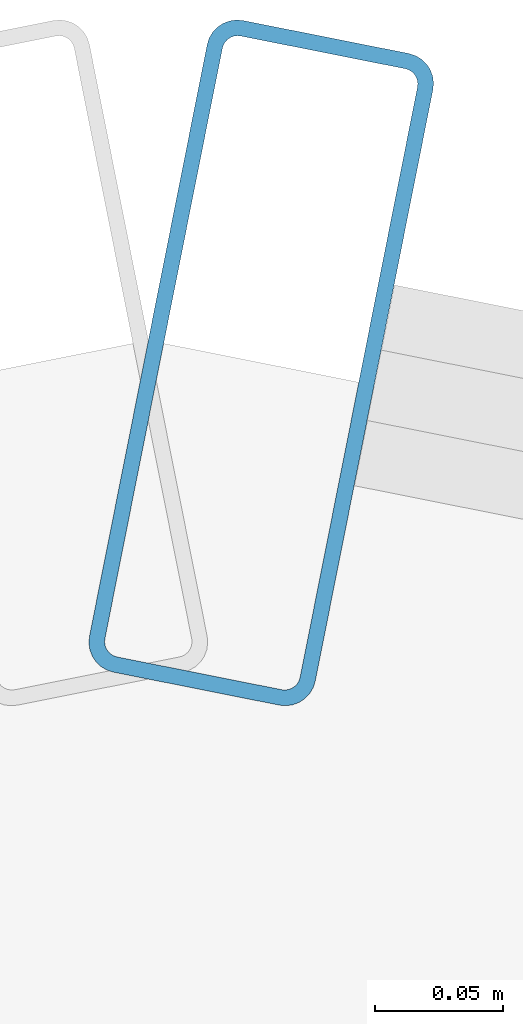
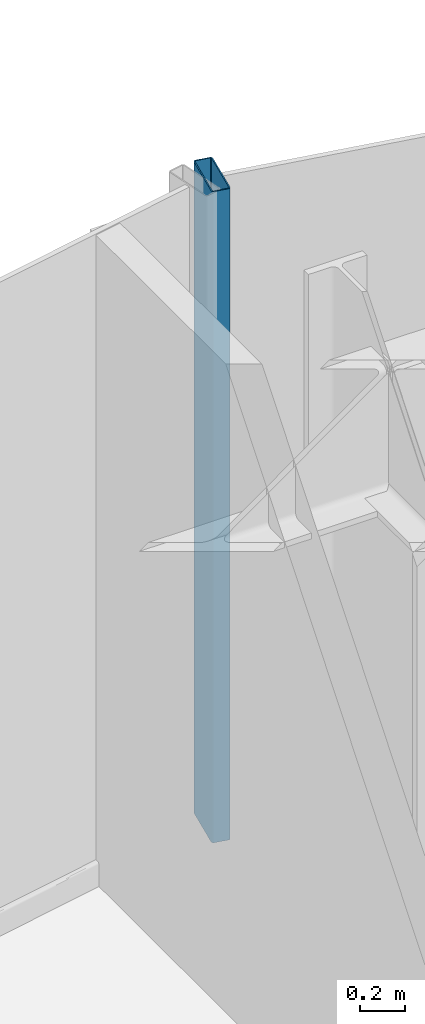
# One storey, part 15 of 25: 1 member, 1 element without a shape of its own.
"""IFC4 building model written with IfcOpenShell, lengths in metres."""

from ifc_helpers import new_model, si_unit, direction, frame, origin, origin_2d, place, context, subcontext, project, spatial, hollow_rectangle, extrude, source, transform, mapped, material, layer, layer_set, material_profile, profile_set, type_object, element, aggregate, save


model = new_model("IFC4")

# Units and contexts
model_context = context("Model", 3, precision=1e-05, world=origin(), true_north=direction((0.0, 1.0)))
body_context = subcontext(model_context, "Body", "Model", "MODEL_VIEW")
ifc_project = project(units=[si_unit("LENGTHUNIT", "METRE"), si_unit("AREAUNIT", "SQUARE_METRE"), si_unit("VOLUMEUNIT", "CUBIC_METRE"), si_unit("PLANEANGLEUNIT", "RADIAN"), si_unit("MASSUNIT", "GRAM", prefix="KILO")], contexts=[model_context])

# Site, building, storey
site_placement = place(None, origin())
site = spatial("IfcSite", under=ifc_project, at=site_placement, CompositionType="ELEMENT")
building_placement = place(site_placement, origin())
building = spatial("IfcBuilding", under=site, at=building_placement, Name="Nefas-Gora Pilgrimage Tower", CompositionType="ELEMENT")
storey_placement = place(building_placement, frame((0.0, 0.0, 71.0)))
storey = spatial("IfcBuildingStorey", under=building, at=storey_placement, Name="L16", CompositionType="ELEMENT", Elevation=71.0)

# Curtain wall, member
ifc_material_1 = material(Name="Dark ceramic-fritted solar-control aluminium-glass curtain wall", Category="aluminium")
ifc_layer = layer(ifc_material_1, 0.219970703125)
ifc_layer_set = layer_set([ifc_layer], Name="Dark ceramic-fritted solar-control aluminium-glass curtain wall")
curtain_wall_type = type_object("IfcCurtainWallType", Name="CW-SYS-5", PredefinedType="NOTDEFINED", material=ifc_layer_set)
curtain_wall_placement = place(storey_placement, origin())
curtain_wall = element("IfcCurtainWall", 1, at=curtain_wall_placement, inside=storey, type_object=curtain_wall_type, Name="L16 Unitised Curtain Wall CW5", PredefinedType="NOTDEFINED")
ifc_material_2 = material(Name="Anodised architectural aluminium", Category="aluminium")
ifc_material_profile = material_profile(ifc_material_2, hollow_rectangle(XDim=0.090087890625, YDim=0.260009765625, WallThickness=0.006103515625, InnerFilletRadius=0.006103515625, OuterFilletRadius=0.011962890625, at=origin_2d()), Name="ALU MULLION 90x260")
ifc_profile_set = profile_set([ifc_material_profile], Name="Anodised architectural aluminium")
member_type = type_object("IfcMemberType", Name="CWM-MUL-5", PredefinedType="MULLION", material=ifc_profile_set)
shared_shape = source(origin(), body_context, "Body", "SweptSolid", [
    extrude(hollow_rectangle(XDim=0.090087890625, YDim=0.260009765625, WallThickness=0.006103515625, InnerFilletRadius=0.006103515625, OuterFilletRadius=0.011962890625, at=origin_2d()), origin(), (0.0, 0.0, 1.0), 3.550048828125),
])
member_placement = place(storey_placement, frame((-2.205810546875, 24.16357421875, 0.0), z_axis=(0.0, 0.0, 1.0), x_axis=(-0.980782896852, 0.195102304554, 0.0)))
member = element("IfcMember", 2, at=member_placement, type_object=member_type, Name="CW5 Mullion 2", PredefinedType="MULLION", context=body_context, shape_type="MappedRepresentation", body=[
    mapped(shared_shape, transform((0.0, 0.0, 0.0), x_axis=(1.0, 0.0, 0.0), y_axis=(0.0, 1.0, 0.0), z_axis=(0.0, 0.0, 1.0), scale=1.0)),
])
aggregate(curtain_wall, [member])

save(model, "model.ifc")
